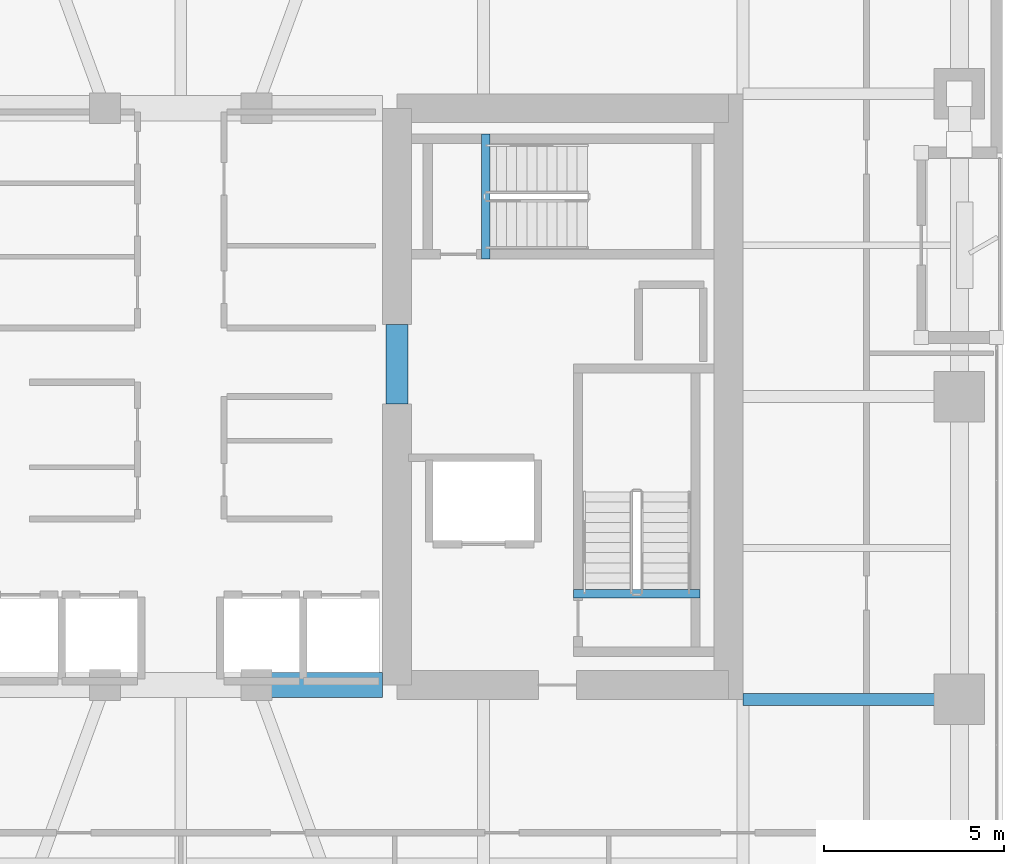
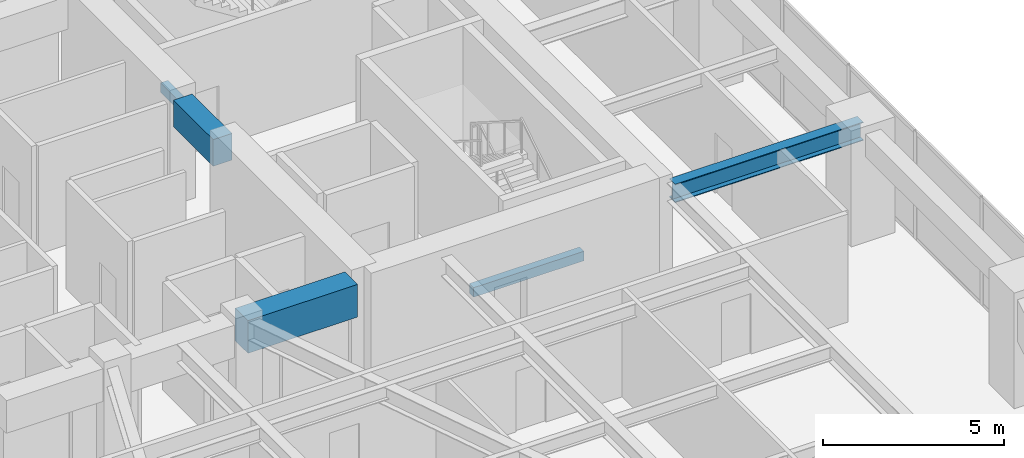
# One storey, part 5 of 24: 5 beams.
"""IFC4 building model written with IfcOpenShell, lengths in metres."""

import ifcopenshell
import ifcopenshell.guid

model = None  # the IFC model being written
_history = None  # IfcOwnerHistory: only IFC2X3 demands one
_inside = {}  # id of a spatial element -> (the spatial element, [elements in it])
_under = {}  # id of a project, library or spatial element -> (it, [spatial elements below it])
_declared = {}  # id of a project -> (the project, [libraries it declares])
_typed = {}  # id of a type object -> (the type object, [elements of that type])
_made_of = {}  # id of a material, layer set ... -> (it, [elements and type objects made of it])


def new_model(schema):
    """Start an empty IFC model of exactly this schema.

    Asked for "IFC4X3", IfcOpenShell would pick the latest addendum, in which some entities
    have other attributes; the version numbers below select the first issue.
    IFC2X3 requires an IfcOwnerHistory on every rooted entity: one is made here for all.
    """
    global model, _history
    if schema == "IFC4X3":
        model = ifcopenshell.file(schema_version=(4, 3, 0, 0))
    else:
        model = ifcopenshell.file(schema=schema)
    _inside.clear()
    _under.clear()
    _declared.clear()
    _typed.clear()
    _made_of.clear()
    _history = None
    if model.schema == "IFC2X3":
        org = make("IfcOrganization", Name="unknown")
        user = make(
            "IfcPersonAndOrganization",
            ThePerson=make("IfcPerson", FamilyName="unknown"),
            TheOrganization=org,
        )
        app = make(
            "IfcApplication",
            ApplicationDeveloper=org,
            Version="unknown",
            ApplicationFullName="unknown",
            ApplicationIdentifier="unknown",
        )
        _history = make(
            "IfcOwnerHistory",
            OwningUser=user,
            OwningApplication=app,
            ChangeAction="ADDED",
            CreationDate=0,
        )
    return model


def make(cls, **values):
    """One entity of the class cls with the attributes given. An attribute that is None is left unset."""
    return model.create_entity(
        cls, **{name: value for name, value in values.items() if value is not None}
    )


def rooted(cls, **values):
    """An entity with a GlobalId (a new one), such as an element, a storey or a relation."""
    return make(cls, GlobalId=ifcopenshell.guid.new(), OwnerHistory=_history, **values)


def si_unit(unit_type, name, prefix=None):
    """IfcSIUnit, for example si_unit("LENGTHUNIT", "METRE", prefix="MILLI")."""
    return make("IfcSIUnit", UnitType=unit_type, Prefix=prefix, Name=name)


def assignment(units):
    """IfcUnitAssignment: the units of a project."""
    return None if units is None else make("IfcUnitAssignment", Units=units)


def point(xyz):
    """IfcCartesianPoint."""
    return None if xyz is None else make("IfcCartesianPoint", Coordinates=xyz)


def direction(xyz):
    """IfcDirection."""
    return None if xyz is None else make("IfcDirection", DirectionRatios=xyz)


def frame(location, z_axis=None, x_axis=None):
    """IfcAxis2Placement3D, a coordinate frame: its origin and axes. An axis left out is left unset."""
    return make(
        "IfcAxis2Placement3D",
        Location=point(location),
        Axis=direction(z_axis),
        RefDirection=direction(x_axis),
    )


def frame_2d(location, x_axis=None):
    """IfcAxis2Placement2D, a coordinate frame in the plane: its origin and x axis."""
    return make(
        "IfcAxis2Placement2D", Location=point(location), RefDirection=direction(x_axis)
    )


def origin():
    """The frame at (0, 0, 0) with its axes left unset."""
    return frame((0.0, 0.0, 0.0))


def origin_2d():
    """The frame at (0, 0) in the plane with its x axis left unset."""
    return frame_2d((0.0, 0.0))


def place(relative_to, where):
    """IfcLocalPlacement: puts the frame where relative to a parent placement (None: the world)."""
    return make(
        "IfcLocalPlacement", PlacementRelTo=relative_to, RelativePlacement=where
    )


def context(
    kind, dimensions, precision=None, world=None, true_north=None, identifier=None
):
    """IfcGeometricRepresentationContext, for example the 3D "Model" context."""
    return make(
        "IfcGeometricRepresentationContext",
        ContextIdentifier=identifier,
        ContextType=kind,
        CoordinateSpaceDimension=dimensions,
        Precision=precision,
        WorldCoordinateSystem=world,
        TrueNorth=true_north,
    )


def subcontext(parent, identifier, kind, view, scale=None):
    """IfcGeometricRepresentationSubContext, for example "Body" below "Model"."""
    return make(
        "IfcGeometricRepresentationSubContext",
        ContextIdentifier=identifier,
        ContextType=kind,
        ParentContext=parent,
        TargetScale=scale,
        TargetView=view,
    )


def project(units=None, contexts=None):
    """IfcProject with its units and contexts."""
    return rooted(
        "IfcProject",
        Name="project",
        RepresentationContexts=contexts,
        UnitsInContext=assignment(units),
    )


def spatial(cls, under=None, at=None, **own):
    """A site, building, storey or space (cls), placed at a placement, below another one or the project."""
    s = rooted(cls, ObjectPlacement=at, **own)
    if under is not None:
        _under.setdefault(under.id(), (under, []))[1].append(s)
    return s


def profile(cls, at=None, kind="AREA", **sizes):
    """A parametric profile (cls). Its sizes go by their IFC names, for example OverallWidth=200.0."""
    return make(cls, ProfileType=kind, Position=at, **sizes)


def rectangle(**sizes):
    """IfcRectangleProfileDef."""
    return profile("IfcRectangleProfileDef", **sizes)


def i_section(**sizes):
    """IfcIShapeProfileDef."""
    return profile("IfcIShapeProfileDef", **sizes)


def extrude(swept, where, along, depth):
    """IfcExtrudedAreaSolid: the profile swept, set in the frame where, extruded along a direction by depth."""
    return make(
        "IfcExtrudedAreaSolid",
        SweptArea=swept,
        Position=where,
        ExtrudedDirection=direction(along),
        Depth=depth,
    )


def shape(context_of_items, identifier, shape_type, items):
    """IfcShapeRepresentation: the items that make up one representation, for example the "Body"."""
    return make(
        "IfcShapeRepresentation",
        ContextOfItems=context_of_items,
        RepresentationIdentifier=identifier,
        RepresentationType=shape_type,
        Items=items,
    )


def material(Name=None, Category=None):
    """IfcMaterial."""
    return make("IfcMaterial", Name=Name, Category=Category)


def material_profile(
    of_material, cross_section, Name=None, Category=None, Priority=None
):
    """IfcMaterialProfile: a cross section and its material."""
    return make(
        "IfcMaterialProfile",
        Name=Name,
        Material=of_material,
        Profile=cross_section,
        Priority=Priority,
        Category=Category,
    )


def profile_set(profiles, Name=None, composite=None):
    """IfcMaterialProfileSet."""
    return make(
        "IfcMaterialProfileSet",
        Name=Name,
        MaterialProfiles=profiles,
        CompositeProfile=composite,
    )


def made_of(thing, what):
    """Note that an element or type object is made of a material, layer set ...; save() writes the relation."""
    if what is not None:
        _made_of.setdefault(what.id(), (what, []))[1].append(thing)
    return thing


def type_object(cls, material=None, **own):
    """A type object (cls), such as IfcWallType, which elements share."""
    return made_of(rooted(cls, **own), material)


def element(
    cls,
    number,
    at=None,
    inside=None,
    cuts=None,
    type_object=None,
    material=None,
    context=None,
    identifier="Body",
    shape_type=None,
    held_by="IfcProductDefinitionShape",
    body=None,
    shapes=None,
    **own,
):
    """One element of the class cls, such as IfcWall. Its Tag is "e" and its number.

    at: its placement. inside: the storey or other place that contains it. cuts: it is an
    opening in that element (IfcRelVoidsElement). A single representation is given by context,
    identifier, shape_type and body (its items); several are given by shapes. held_by: the class
    of the entity that holds the representations. save() writes the other relations.
    """
    e = rooted(cls, Tag="e%d" % number, ObjectPlacement=at, **own)
    if body is not None:
        shapes = [shape(context, identifier, shape_type, body)]
    if shapes is not None:
        e.Representation = make(held_by, Representations=shapes)
    if inside is not None:
        _inside.setdefault(inside.id(), (inside, []))[1].append(e)
    if cuts is not None:
        rooted(
            "IfcRelVoidsElement", RelatingBuildingElement=cuts, RelatedOpeningElement=e
        )
    if type_object is not None:
        _typed.setdefault(type_object.id(), (type_object, []))[1].append(e)
    return made_of(e, material)


def aggregate(whole, parts):
    """IfcRelAggregates: a whole, such as a stair, and the parts it consists of."""
    return rooted("IfcRelAggregates", RelatingObject=whole, RelatedObjects=parts)


def save(model, path):
    """Write the relations noted so far, then the file.

    IfcRelAggregates (storeys below a building ...), IfcRelContainedInSpatialStructure (elements
    in a storey), IfcRelDefinesByType, IfcRelAssociatesMaterial and IfcRelDeclares: one each for
    every whole, place, type object, material and project.
    """
    for whole, parts in _under.values():
        aggregate(whole, parts)
    for where, things in _inside.values():
        rooted(
            "IfcRelContainedInSpatialStructure",
            RelatedElements=things,
            RelatingStructure=where,
        )
    for kind, things in _typed.values():
        rooted("IfcRelDefinesByType", RelatedObjects=things, RelatingType=kind)
    for what, things in _made_of.values():
        rooted("IfcRelAssociatesMaterial", RelatedObjects=things, RelatingMaterial=what)
    for by, libraries in _declared.values():
        rooted("IfcRelDeclares", RelatingContext=by, RelatedDefinitions=libraries)
    model.write(path)


model = new_model("IFC4")

# Units and contexts
model_context = context("Model", 3, precision=1e-05, world=origin(), true_north=direction((0.0, 1.0)))
body_context = subcontext(model_context, "Body", "Model", "MODEL_VIEW")
ifc_project = project(units=[si_unit("LENGTHUNIT", "METRE"), si_unit("AREAUNIT", "SQUARE_METRE"), si_unit("VOLUMEUNIT", "CUBIC_METRE"), si_unit("PLANEANGLEUNIT", "RADIAN"), si_unit("MASSUNIT", "GRAM", prefix="KILO")], contexts=[model_context])

# Site, building, storey
site_placement = place(None, origin())
site = spatial("IfcSite", under=ifc_project, at=site_placement, CompositionType="ELEMENT")
building_placement = place(site_placement, origin())
building = spatial("IfcBuilding", under=site, at=building_placement, Name="Kiyonajd Concourse Tower", CompositionType="ELEMENT")
storey_placement = place(building_placement, frame((0.0, 0.0, 105.300048828125)))
storey = spatial("IfcBuildingStorey", under=building, at=storey_placement, Name="L27", CompositionType="ELEMENT", Elevation=105.300048828125)

# Beams
ifc_material_1 = material(Name="Concrete C70/85", Category="concrete")
ifc_material_profile_1 = material_profile(ifc_material_1, rectangle(XDim=0.699951171875, YDim=1.10009765625, at=origin_2d()), Name="RCBM-700x1100")
ifc_profile_set_1 = profile_set([ifc_material_profile_1], Name="Concrete C70/85")
beam_type_1 = type_object("IfcBeamType", Name="BM-COUP-1100", PredefinedType="LINTEL", material=ifc_profile_set_1)
beam_1_placement = place(storey_placement, frame((50.10009765625, 28.0, 3.08984375), z_axis=(1.0, 0.0, 0.0), x_axis=(0.0, 1.0, 0.0)))
element("IfcBeam", 1, at=beam_1_placement, inside=storey, type_object=beam_type_1, Name="L27 Core Coupling Beam S3", PredefinedType="LINTEL", context=body_context, shape_type="SweptSolid", body=[
    extrude(rectangle(XDim=0.699951171875, YDim=1.10009765625, at=origin_2d()), origin(), (0.0, 0.0, 1.0), 3.5),
])
ifc_material_2 = material(Name="Concrete C60/75", Category="concrete")
ifc_material_profile_2 = material_profile(ifc_material_2, rectangle(XDim=0.60009765625, YDim=0.89990234375, at=origin_2d()), Name="RCBM-600x900")
ifc_profile_set_2 = profile_set([ifc_material_profile_2], Name="Concrete C60/75")
beam_type_2 = type_object("IfcBeamType", Name="BM-COUP-900", PredefinedType="LINTEL", material=ifc_profile_set_2)
beam_2_placement = place(storey_placement, frame((54.0, 35.800048828125, 3.08984375), z_axis=(0.0, 1.0, 0.0), x_axis=(-1.0, 0.0, 0.0)))
element("IfcBeam", 2, at=beam_2_placement, inside=storey, type_object=beam_type_2, Name="L27 East Core Throat Coupling Lintel", PredefinedType="LINTEL", context=body_context, shape_type="SweptSolid", body=[
    extrude(rectangle(XDim=0.60009765625, YDim=0.89990234375, at=origin_2d()), origin(), (0.0, 0.0, 1.0), 2.199951171875),
])
ifc_material_3 = material(Name="Concrete C50/60", Category="concrete")
ifc_material_profile_3 = material_profile(ifc_material_3, rectangle(XDim=0.239990234375, YDim=0.320068359375, at=origin_2d()), Name="RCBM-240x320")
ifc_profile_set_3 = profile_set([ifc_material_profile_3], Name="Concrete C50/60")
beam_type_3 = type_object("IfcBeamType", Name="BM-LNT-250", PredefinedType="LINTEL", material=ifc_profile_set_3)
beam_3_placement = place(storey_placement, frame((58.889892578125, 30.530029296875, -0.16015625), z_axis=(1.0, 0.0, 0.0), x_axis=(0.0, 1.0, 0.0)))
element("IfcBeam", 3, at=beam_3_placement, inside=storey, type_object=beam_type_3, Name="L27 Stair ST2 Threshold Support Beam", PredefinedType="LINTEL", context=body_context, shape_type="SweptSolid", body=[
    extrude(rectangle(XDim=0.239990234375, YDim=0.320068359375, at=origin_2d()), origin(), (0.0, 0.0, 1.0), 3.52001953125),
])
beam_4_placement = place(storey_placement, frame((56.4599609375, 39.820068359375, -0.16015625), z_axis=(0.0, 1.0, 0.0), x_axis=(-1.0, 0.0, 0.0)))
element("IfcBeam", 4, at=beam_4_placement, inside=storey, type_object=beam_type_3, Name="L27 Stair ST3 Threshold Support Beam", PredefinedType="LINTEL", context=body_context, shape_type="SweptSolid", body=[
    extrude(rectangle(XDim=0.239990234375, YDim=0.320068359375, at=origin_2d()), origin(), (0.0, 0.0, 1.0), 3.4599609375),
])
ifc_material_4 = material(Name="Steel ASTM A992 Grade 50", Category="steel")
ifc_material_profile_4 = material_profile(ifc_material_4, i_section(OverallWidth=0.326904296875, OverallDepth=0.6220703125, WebThickness=0.015380859375, FlangeThickness=0.0244140625, at=origin_2d()), Name="W610X195")
ifc_profile_set_4 = profile_set([ifc_material_profile_4], Name="Steel ASTM A992 Grade 50")
beam_type_4 = type_object("IfcBeamType", Name="BM-TWR-610A", PredefinedType="BEAM", material=ifc_profile_set_4)
beam_5_placement = place(storey_placement, frame((63.60009765625, 27.60009765625, 3.328857421875), z_axis=(1.0, 0.0, 0.0), x_axis=(0.0, 1.0, 0.0)))
element("IfcBeam", 5, at=beam_5_placement, inside=storey, type_object=beam_type_4, Name="L27 East Lease Girder", PredefinedType="BEAM", context=body_context, shape_type="SweptSolid", body=[
    extrude(i_section(OverallWidth=0.326904296875, OverallDepth=0.6220703125, WebThickness=0.015380859375, FlangeThickness=0.0244140625, at=origin_2d()), origin(), (0.0, 0.0, 1.0), 6.0),
])

save(model, "model.ifc")
